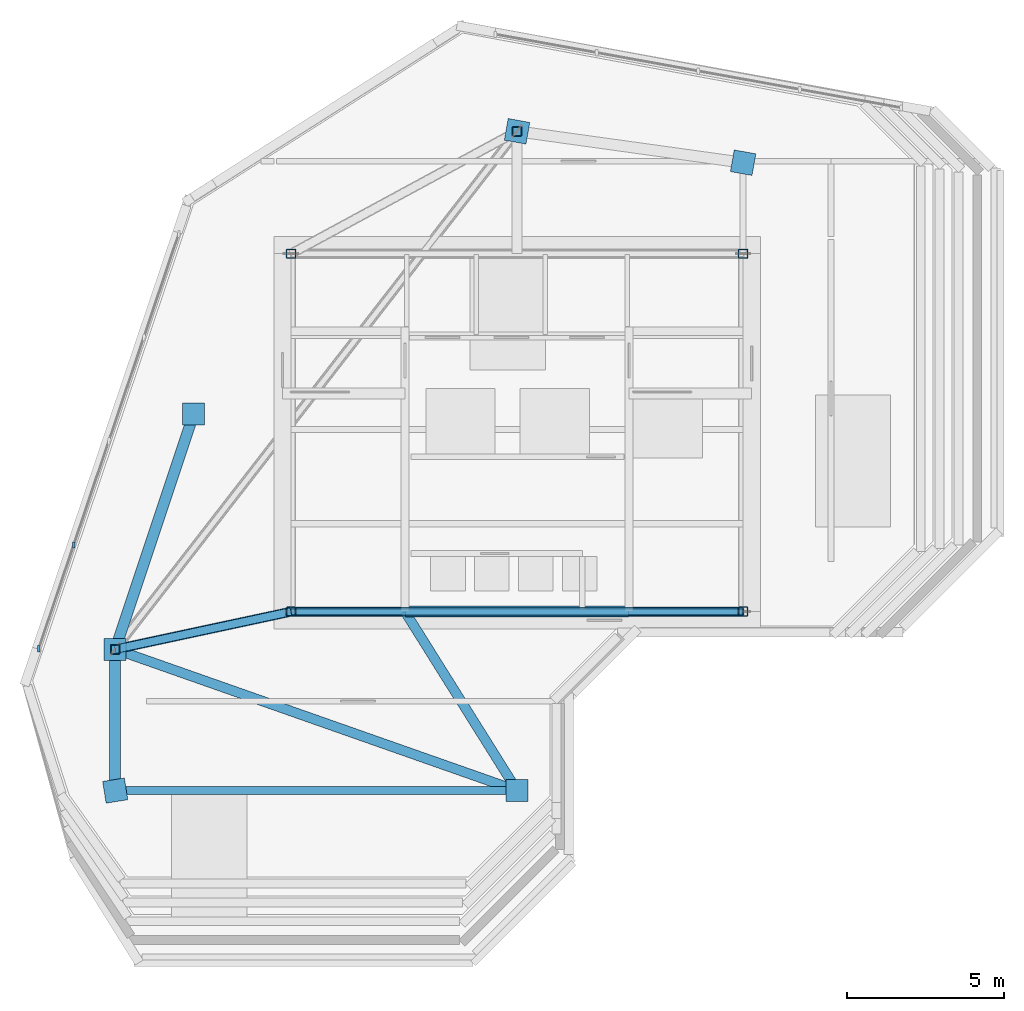
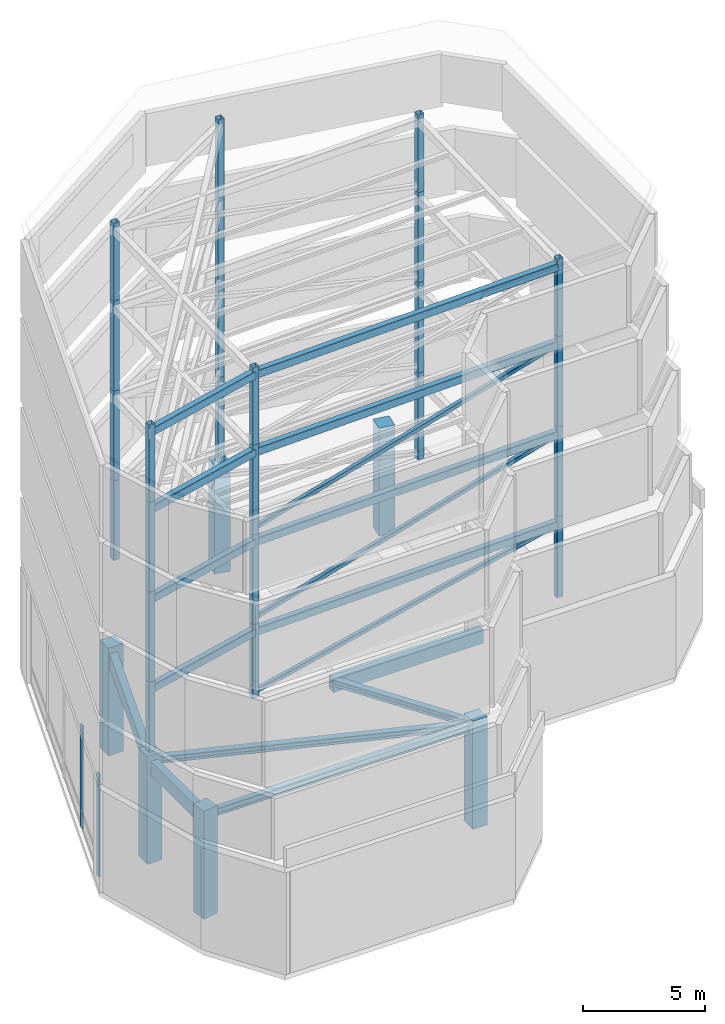
# One storey, part 1 of 9: 30 columns, 14 beams, 5 members, 1 element without a shape of its own.
"""IFC4 building model written with IfcOpenShell, lengths in metres."""

from ifc_helpers import new_model, si_unit, direction, frame, origin, origin_2d, place, context, subcontext, project, spatial, rectangle, hollow_rectangle, i_section, extrude, source, transform, mapped, material, material_profile, profile_set, type_object, element, aggregate, save


model = new_model("IFC4")

# Units and contexts
model_context = context("Model", 3, precision=1e-05, world=origin(), true_north=direction((0.0, 1.0)))
body_context = subcontext(model_context, "Body", "Model", "MODEL_VIEW")
ifc_project = project(units=[si_unit("LENGTHUNIT", "METRE"), si_unit("AREAUNIT", "SQUARE_METRE"), si_unit("VOLUMEUNIT", "CUBIC_METRE"), si_unit("PLANEANGLEUNIT", "RADIAN"), si_unit("MASSUNIT", "GRAM", prefix="KILO")], contexts=[model_context])

# Site, building, storey
site_placement = place(None, origin())
site = spatial("IfcSite", under=ifc_project, at=site_placement, CompositionType="ELEMENT")
building_placement = place(site_placement, origin())
building = spatial("IfcBuilding", under=site, at=building_placement, Name="Calvemar Wedge Station Tower", CompositionType="ELEMENT")
storey_placement = place(building_placement, frame((0.0, 0.0, 309.5)))
storey = spatial("IfcBuildingStorey", under=building, at=storey_placement, Name="L79", CompositionType="ELEMENT", Elevation=309.5)

# Columns
ifc_material_1 = material(Name="Concrete C50", Category="concrete")
ifc_material_profile_1 = material_profile(ifc_material_1, rectangle(XDim=0.699951171875, YDim=0.699951171875, at=origin_2d()), Name="RC700x700")
ifc_profile_set_1 = profile_set([ifc_material_profile_1], Name="Concrete C50")
column_type_1 = type_object("IfcColumnType", Name="COL-C7-700", PredefinedType="COLUMN", material=ifc_profile_set_1)
shared_shape_1 = source(origin(), body_context, "Body", "SweptSolid", [
    extrude(rectangle(XDim=0.699951171875, YDim=0.699951171875, at=origin_2d()), origin(), (0.0, 0.0, 1.0), 5.39990234375),
])
for number, where, z_axis, x_axis, name in (
    (1, (11.0, 33.0, 0.0), (0.0, 0.0, 1.0), (1.0, 0.0, 0.0), "Storey L79 Column T-NW1"),
    (2, (13.5, 40.5, 0.0), (0.0, 0.0, 1.0), (1.0, 0.0, 0.0), "Storey L79 Column T-NW2"),
    (3, (23.800048828125, 49.5, 0.0), (0.0, 0.0, 1.0), (0.984195607969, -0.17708474032, 0.0), "Storey L79 Column T-N1"),
    (4, (31.0, 48.5, 0.0), (0.0, 0.0, 1.0), (0.984195607969, -0.17708474032, 0.0), "Storey L79 Column T-N2"),
    (5, (11.0, 28.5, 0.0), (0.0, 0.0, 1.0), (0.158158067254, -0.987413806751, 0.0), "Storey L79 Column T-SW1"),
    (6, (23.800048828125, 28.5, 0.0), (0.0, 0.0, 1.0), (1.0, 0.0, 0.0), "Storey L79 Column T-SE1"),
):
    element("IfcColumn", number, at=place(storey_placement, frame(where, z_axis=z_axis, x_axis=x_axis)), inside=storey, type_object=column_type_1, Name=name, PredefinedType="COLUMN", context=body_context, shape_type="MappedRepresentation", body=[
        mapped(shared_shape_1, transform((0.0, 0.0, 0.0), scale=1.0)),
    ])
ifc_material_2 = material(Name="Structural steel ASTM A572 Grade 50", Category="steel")
ifc_material_profile_2 = material_profile(ifc_material_2, hollow_rectangle(XDim=0.300048828125, YDim=0.300048828125, WallThickness=0.01611328125, InnerFilletRadius=0.01611328125, OuterFilletRadius=0.031982421875, at=origin_2d()), Name="HSS300x300x16")
ifc_profile_set_2 = profile_set([ifc_material_profile_2], Name="Structural steel ASTM A572 Grade 50")
column_type_2 = type_object("IfcColumnType", Name="COL-CROWN-HSS300", PredefinedType="COLUMN", material=ifc_profile_set_2)
shared_shape_2 = source(origin(), body_context, "Body", "SweptSolid", [
    extrude(hollow_rectangle(XDim=0.300048828125, YDim=0.300048828125, WallThickness=0.01611328125, InnerFilletRadius=0.01611328125, OuterFilletRadius=0.031982421875, at=origin_2d()), origin(), (0.0, 0.0, 1.0), 3.68359375),
])
column_1_placement = place(storey_placement, frame((16.60009765625, 34.199951171875, 5.39990234375), z_axis=(0.0, 0.0, 1.0), x_axis=(1.0, 0.0, 0.0)))
element("IfcColumn", 7, at=column_1_placement, inside=storey, type_object=column_type_2, Name="CROWN FRAME Tier 1 Column 1", PredefinedType="COLUMN", context=body_context, shape_type="MappedRepresentation", body=[
    mapped(shared_shape_2, transform((0.0, 0.0, 0.0), scale=1.0)),
])
shared_shape_3 = source(origin(), body_context, "Body", "SweptSolid", [
    extrude(hollow_rectangle(XDim=0.300048828125, YDim=0.300048828125, WallThickness=0.01611328125, InnerFilletRadius=0.01611328125, OuterFilletRadius=0.031982421875, at=origin_2d()), origin(), (0.0, 0.0, 1.0), 4.044677734375),
])
column_2_placement = place(storey_placement, frame((31.0, 34.199951171875, 5.39990234375), z_axis=(0.0, 0.0, 1.0), x_axis=(1.0, 0.0, 0.0)))
element("IfcColumn", 8, at=column_2_placement, inside=storey, type_object=column_type_2, Name="CROWN FRAME Tier 1 Column 2", PredefinedType="COLUMN", context=body_context, shape_type="MappedRepresentation", body=[
    mapped(shared_shape_3, transform((0.0, 0.0, 0.0), scale=1.0)),
])
shared_shape_4 = source(origin(), body_context, "Body", "SweptSolid", [
    extrude(hollow_rectangle(XDim=0.300048828125, YDim=0.300048828125, WallThickness=0.01611328125, InnerFilletRadius=0.01611328125, OuterFilletRadius=0.031982421875, at=origin_2d()), origin(), (0.0, 0.0, 1.0), 4.330810546875),
])
column_3_placement = place(storey_placement, frame((31.0, 45.60009765625, 5.39990234375), z_axis=(0.0, 0.0, 1.0), x_axis=(1.0, 0.0, 0.0)))
element("IfcColumn", 9, at=column_3_placement, inside=storey, type_object=column_type_2, Name="CROWN FRAME Tier 1 Column 3", PredefinedType="COLUMN", context=body_context, shape_type="MappedRepresentation", body=[
    mapped(shared_shape_4, transform((0.0, 0.0, 0.0), scale=1.0)),
])
shared_shape_5 = source(origin(), body_context, "Body", "SweptSolid", [
    extrude(hollow_rectangle(XDim=0.300048828125, YDim=0.300048828125, WallThickness=0.01611328125, InnerFilletRadius=0.01611328125, OuterFilletRadius=0.031982421875, at=origin_2d()), origin(), (0.0, 0.0, 1.0), 3.969482421875),
])
column_4_placement = place(storey_placement, frame((16.60009765625, 45.60009765625, 5.39990234375), z_axis=(0.0, 0.0, 1.0), x_axis=(1.0, 0.0, 0.0)))
element("IfcColumn", 10, at=column_4_placement, inside=storey, type_object=column_type_2, Name="CROWN FRAME Tier 1 Column 4", PredefinedType="COLUMN", context=body_context, shape_type="MappedRepresentation", body=[
    mapped(shared_shape_5, transform((0.0, 0.0, 0.0), scale=1.0)),
])
shared_shape_6 = source(origin(), body_context, "Body", "SweptSolid", [
    extrude(hollow_rectangle(XDim=0.300048828125, YDim=0.300048828125, WallThickness=0.01611328125, InnerFilletRadius=0.01611328125, OuterFilletRadius=0.031982421875, at=origin_2d()), origin(), (0.0, 0.0, 1.0), 4.247802734375),
])
column_5_placement = place(storey_placement, frame((23.800048828125, 49.5, 5.39990234375), z_axis=(0.0, 0.0, 1.0), x_axis=(1.0, 0.0, 0.0)))
element("IfcColumn", 11, at=column_5_placement, inside=storey, type_object=column_type_2, Name="CROWN FRAME Tier 1 Column 5", PredefinedType="COLUMN", context=body_context, shape_type="MappedRepresentation", body=[
    mapped(shared_shape_6, transform((0.0, 0.0, 0.0), scale=1.0)),
])
shared_shape_7 = source(origin(), body_context, "Body", "SweptSolid", [
    extrude(hollow_rectangle(XDim=0.300048828125, YDim=0.300048828125, WallThickness=0.01611328125, InnerFilletRadius=0.01611328125, OuterFilletRadius=0.031982421875, at=origin_2d()), origin(), (0.0, 0.0, 1.0), 3.51318359375),
])
column_6_placement = place(storey_placement, frame((11.0, 33.0, 5.39990234375), z_axis=(0.0, 0.0, 1.0), x_axis=(1.0, 0.0, 0.0)))
element("IfcColumn", 12, at=column_6_placement, inside=storey, type_object=column_type_2, Name="CROWN FRAME Tier 1 Column 6", PredefinedType="COLUMN", context=body_context, shape_type="MappedRepresentation", body=[
    mapped(shared_shape_7, transform((0.0, 0.0, 0.0), scale=1.0)),
])
shared_shape_8 = source(origin(), body_context, "Body", "SweptSolid", [
    extrude(hollow_rectangle(XDim=0.300048828125, YDim=0.300048828125, WallThickness=0.01611328125, InnerFilletRadius=0.01611328125, OuterFilletRadius=0.031982421875, at=origin_2d()), origin(), (0.0, 0.0, 1.0), 4.485107421875),
])
column_7_placement = place(storey_placement, frame((16.60009765625, 34.199951171875, 9.093505859375), z_axis=(0.0, 0.0, 1.0), x_axis=(1.0, 0.0, 0.0)))
element("IfcColumn", 13, at=column_7_placement, inside=storey, type_object=column_type_2, Name="CROWN FRAME Tier 2 Column 1", PredefinedType="COLUMN", context=body_context, shape_type="MappedRepresentation", body=[
    mapped(shared_shape_8, transform((0.0, 0.0, 0.0), scale=1.0)),
])
shared_shape_9 = source(origin(), body_context, "Body", "SweptSolid", [
    extrude(hollow_rectangle(XDim=0.300048828125, YDim=0.300048828125, WallThickness=0.01611328125, InnerFilletRadius=0.01611328125, OuterFilletRadius=0.031982421875, at=origin_2d()), origin(), (0.0, 0.0, 1.0), 4.4921875),
])
for number, where, z_axis, x_axis, name in (
    (14, (31.0, 34.199951171875, 9.45458984375), (0.0, 0.0, 1.0), (1.0, 0.0, 0.0), "CROWN FRAME Tier 2 Column 2"),
    (15, (31.0, 34.199951171875, 13.956787109375), (0.0, 0.0, 1.0), (1.0, 0.0, 0.0), "CROWN FRAME Tier 3 Column 2"),
):
    element("IfcColumn", number, at=place(storey_placement, frame(where, z_axis=z_axis, x_axis=x_axis)), inside=storey, type_object=column_type_2, Name=name, PredefinedType="COLUMN", context=body_context, shape_type="MappedRepresentation", body=[
        mapped(shared_shape_9, transform((0.0, 0.0, 0.0), scale=1.0)),
    ])
shared_shape_10 = source(origin(), body_context, "Body", "SweptSolid", [
    extrude(hollow_rectangle(XDim=0.300048828125, YDim=0.300048828125, WallThickness=0.01611328125, InnerFilletRadius=0.01611328125, OuterFilletRadius=0.031982421875, at=origin_2d()), origin(), (0.0, 0.0, 1.0), 4.497802734375),
])
column_8_placement = place(storey_placement, frame((31.0, 45.60009765625, 9.740478515625), z_axis=(0.0, 0.0, 1.0), x_axis=(1.0, 0.0, 0.0)))
element("IfcColumn", 16, at=column_8_placement, inside=storey, type_object=column_type_2, Name="CROWN FRAME Tier 2 Column 3", PredefinedType="COLUMN", context=body_context, shape_type="MappedRepresentation", body=[
    mapped(shared_shape_10, transform((0.0, 0.0, 0.0), scale=1.0)),
])
shared_shape_11 = source(origin(), body_context, "Body", "SweptSolid", [
    extrude(hollow_rectangle(XDim=0.300048828125, YDim=0.300048828125, WallThickness=0.01611328125, InnerFilletRadius=0.01611328125, OuterFilletRadius=0.031982421875, at=origin_2d()), origin(), (0.0, 0.0, 1.0), 4.49072265625),
])
column_9_placement = place(storey_placement, frame((16.60009765625, 45.60009765625, 9.37939453125), z_axis=(0.0, 0.0, 1.0), x_axis=(1.0, 0.0, 0.0)))
element("IfcColumn", 17, at=column_9_placement, inside=storey, type_object=column_type_2, Name="CROWN FRAME Tier 2 Column 4", PredefinedType="COLUMN", context=body_context, shape_type="MappedRepresentation", body=[
    mapped(shared_shape_11, transform((0.0, 0.0, 0.0), scale=1.0)),
])
shared_shape_12 = source(origin(), body_context, "Body", "SweptSolid", [
    extrude(hollow_rectangle(XDim=0.300048828125, YDim=0.300048828125, WallThickness=0.01611328125, InnerFilletRadius=0.01611328125, OuterFilletRadius=0.031982421875, at=origin_2d()), origin(), (0.0, 0.0, 1.0), 4.496337890625),
])
for number, where, z_axis, x_axis, name in (
    (18, (23.800048828125, 49.5, 9.65771484375), (0.0, 0.0, 1.0), (1.0, 0.0, 0.0), "CROWN FRAME Tier 2 Column 5"),
    (19, (23.800048828125, 49.5, 14.1640625), (0.0, 0.0, 1.0), (1.0, 0.0, 0.0), "CROWN FRAME Tier 3 Column 5"),
):
    element("IfcColumn", number, at=place(storey_placement, frame(where, z_axis=z_axis, x_axis=x_axis)), inside=storey, type_object=column_type_2, Name=name, PredefinedType="COLUMN", context=body_context, shape_type="MappedRepresentation", body=[
        mapped(shared_shape_12, transform((0.0, 0.0, 0.0), scale=1.0)),
    ])
shared_shape_13 = source(origin(), body_context, "Body", "SweptSolid", [
    extrude(hollow_rectangle(XDim=0.300048828125, YDim=0.300048828125, WallThickness=0.01611328125, InnerFilletRadius=0.01611328125, OuterFilletRadius=0.031982421875, at=origin_2d()), origin(), (0.0, 0.0, 1.0), 4.4814453125),
])
column_10_placement = place(storey_placement, frame((11.0, 33.0, 8.923095703125), z_axis=(0.0, 0.0, 1.0), x_axis=(1.0, 0.0, 0.0)))
element("IfcColumn", 20, at=column_10_placement, inside=storey, type_object=column_type_2, Name="CROWN FRAME Tier 2 Column 6", PredefinedType="COLUMN", context=body_context, shape_type="MappedRepresentation", body=[
    mapped(shared_shape_13, transform((0.0, 0.0, 0.0), scale=1.0)),
])
shared_shape_14 = source(origin(), body_context, "Body", "SweptSolid", [
    extrude(hollow_rectangle(XDim=0.300048828125, YDim=0.300048828125, WallThickness=0.01611328125, InnerFilletRadius=0.01611328125, OuterFilletRadius=0.031982421875, at=origin_2d()), origin(), (0.0, 0.0, 1.0), 4.48486328125),
])
column_11_placement = place(storey_placement, frame((16.60009765625, 34.199951171875, 13.58837890625), z_axis=(0.0, 0.0, 1.0), x_axis=(1.0, 0.0, 0.0)))
element("IfcColumn", 21, at=column_11_placement, inside=storey, type_object=column_type_2, Name="CROWN FRAME Tier 3 Column 1", PredefinedType="COLUMN", context=body_context, shape_type="MappedRepresentation", body=[
    mapped(shared_shape_14, transform((0.0, 0.0, 0.0), scale=1.0)),
])
shared_shape_15 = source(origin(), body_context, "Body", "SweptSolid", [
    extrude(hollow_rectangle(XDim=0.300048828125, YDim=0.300048828125, WallThickness=0.01611328125, InnerFilletRadius=0.01611328125, OuterFilletRadius=0.031982421875, at=origin_2d()), origin(), (0.0, 0.0, 1.0), 4.498046875),
])
column_12_placement = place(storey_placement, frame((31.0, 45.60009765625, 14.248291015625), z_axis=(0.0, 0.0, 1.0), x_axis=(1.0, 0.0, 0.0)))
element("IfcColumn", 22, at=column_12_placement, inside=storey, type_object=column_type_2, Name="CROWN FRAME Tier 3 Column 3", PredefinedType="COLUMN", context=body_context, shape_type="MappedRepresentation", body=[
    mapped(shared_shape_15, transform((0.0, 0.0, 0.0), scale=1.0)),
])
shared_shape_16 = source(origin(), body_context, "Body", "SweptSolid", [
    extrude(hollow_rectangle(XDim=0.300048828125, YDim=0.300048828125, WallThickness=0.01611328125, InnerFilletRadius=0.01611328125, OuterFilletRadius=0.031982421875, at=origin_2d()), origin(), (0.0, 0.0, 1.0), 4.490478515625),
])
column_13_placement = place(storey_placement, frame((16.60009765625, 45.60009765625, 13.880126953125), z_axis=(0.0, 0.0, 1.0), x_axis=(1.0, 0.0, 0.0)))
element("IfcColumn", 23, at=column_13_placement, inside=storey, type_object=column_type_2, Name="CROWN FRAME Tier 3 Column 4", PredefinedType="COLUMN", context=body_context, shape_type="MappedRepresentation", body=[
    mapped(shared_shape_16, transform((0.0, 0.0, 0.0), scale=1.0)),
])
shared_shape_17 = source(origin(), body_context, "Body", "SweptSolid", [
    extrude(hollow_rectangle(XDim=0.300048828125, YDim=0.300048828125, WallThickness=0.01611328125, InnerFilletRadius=0.01611328125, OuterFilletRadius=0.031982421875, at=origin_2d()), origin(), (0.0, 0.0, 1.0), 4.481201171875),
])
column_14_placement = place(storey_placement, frame((11.0, 33.0, 13.41455078125), z_axis=(0.0, 0.0, 1.0), x_axis=(1.0, 0.0, 0.0)))
element("IfcColumn", 24, at=column_14_placement, inside=storey, type_object=column_type_2, Name="CROWN FRAME Tier 3 Column 6", PredefinedType="COLUMN", context=body_context, shape_type="MappedRepresentation", body=[
    mapped(shared_shape_17, transform((0.0, 0.0, 0.0), scale=1.0)),
])
shared_shape_18 = source(origin(), body_context, "Body", "SweptSolid", [
    extrude(hollow_rectangle(XDim=0.300048828125, YDim=0.300048828125, WallThickness=0.01611328125, InnerFilletRadius=0.01611328125, OuterFilletRadius=0.031982421875, at=origin_2d()), origin(), (0.0, 0.0, 1.0), 3.864501953125),
])
column_15_placement = place(storey_placement, frame((16.60009765625, 34.199951171875, 18.083251953125), z_axis=(0.0, 0.0, 1.0), x_axis=(1.0, 0.0, 0.0)))
element("IfcColumn", 25, at=column_15_placement, inside=storey, type_object=column_type_2, Name="CROWN FRAME Tier 4 Column 1", PredefinedType="COLUMN", context=body_context, shape_type="MappedRepresentation", body=[
    mapped(shared_shape_18, transform((0.0, 0.0, 0.0), scale=1.0)),
])
shared_shape_19 = source(origin(), body_context, "Body", "SweptSolid", [
    extrude(hollow_rectangle(XDim=0.300048828125, YDim=0.300048828125, WallThickness=0.01611328125, InnerFilletRadius=0.01611328125, OuterFilletRadius=0.031982421875, at=origin_2d()), origin(), (0.0, 0.0, 1.0), 3.872314453125),
])
column_16_placement = place(storey_placement, frame((31.0, 34.199951171875, 18.458984375), z_axis=(0.0, 0.0, 1.0), x_axis=(1.0, 0.0, 0.0)))
element("IfcColumn", 26, at=column_16_placement, inside=storey, type_object=column_type_2, Name="CROWN FRAME Tier 4 Column 2", PredefinedType="COLUMN", context=body_context, shape_type="MappedRepresentation", body=[
    mapped(shared_shape_19, transform((0.0, 0.0, 0.0), scale=1.0)),
])
shared_shape_20 = source(origin(), body_context, "Body", "SweptSolid", [
    extrude(hollow_rectangle(XDim=0.300048828125, YDim=0.300048828125, WallThickness=0.01611328125, InnerFilletRadius=0.01611328125, OuterFilletRadius=0.031982421875, at=origin_2d()), origin(), (0.0, 0.0, 1.0), 3.87841796875),
])
column_17_placement = place(storey_placement, frame((31.0, 45.60009765625, 18.75634765625), z_axis=(0.0, 0.0, 1.0), x_axis=(1.0, 0.0, 0.0)))
element("IfcColumn", 27, at=column_17_placement, inside=storey, type_object=column_type_2, Name="CROWN FRAME Tier 4 Column 3", PredefinedType="COLUMN", context=body_context, shape_type="MappedRepresentation", body=[
    mapped(shared_shape_20, transform((0.0, 0.0, 0.0), scale=1.0)),
])
shared_shape_21 = source(origin(), body_context, "Body", "SweptSolid", [
    extrude(hollow_rectangle(XDim=0.300048828125, YDim=0.300048828125, WallThickness=0.01611328125, InnerFilletRadius=0.01611328125, OuterFilletRadius=0.031982421875, at=origin_2d()), origin(), (0.0, 0.0, 1.0), 3.87060546875),
])
column_18_placement = place(storey_placement, frame((16.60009765625, 45.60009765625, 18.380615234375), z_axis=(0.0, 0.0, 1.0), x_axis=(1.0, 0.0, 0.0)))
element("IfcColumn", 28, at=column_18_placement, inside=storey, type_object=column_type_2, Name="CROWN FRAME Tier 4 Column 4", PredefinedType="COLUMN", context=body_context, shape_type="MappedRepresentation", body=[
    mapped(shared_shape_21, transform((0.0, 0.0, 0.0), scale=1.0)),
])
shared_shape_22 = source(origin(), body_context, "Body", "SweptSolid", [
    extrude(hollow_rectangle(XDim=0.300048828125, YDim=0.300048828125, WallThickness=0.01611328125, InnerFilletRadius=0.01611328125, OuterFilletRadius=0.031982421875, at=origin_2d()), origin(), (0.0, 0.0, 1.0), 3.87646484375),
])
column_19_placement = place(storey_placement, frame((23.800048828125, 49.5, 18.67041015625), z_axis=(0.0, 0.0, 1.0), x_axis=(1.0, 0.0, 0.0)))
element("IfcColumn", 29, at=column_19_placement, inside=storey, type_object=column_type_2, Name="CROWN FRAME Tier 4 Column 5", PredefinedType="COLUMN", context=body_context, shape_type="MappedRepresentation", body=[
    mapped(shared_shape_22, transform((0.0, 0.0, 0.0), scale=1.0)),
])
shared_shape_23 = source(origin(), body_context, "Body", "SweptSolid", [
    extrude(hollow_rectangle(XDim=0.300048828125, YDim=0.300048828125, WallThickness=0.01611328125, InnerFilletRadius=0.01611328125, OuterFilletRadius=0.031982421875, at=origin_2d()), origin(), (0.0, 0.0, 1.0), 3.86083984375),
])
column_20_placement = place(storey_placement, frame((11.0, 33.0, 17.90576171875), z_axis=(0.0, 0.0, 1.0), x_axis=(1.0, 0.0, 0.0)))
element("IfcColumn", 30, at=column_20_placement, inside=storey, type_object=column_type_2, Name="CROWN FRAME Tier 4 Column 6", PredefinedType="COLUMN", context=body_context, shape_type="MappedRepresentation", body=[
    mapped(shared_shape_23, transform((0.0, 0.0, 0.0), scale=1.0)),
])

# Beams
ifc_material_3 = material(Name="Concrete C70", Category="concrete")
ifc_material_profile_3 = material_profile(ifc_material_3, rectangle(XDim=0.35009765625, YDim=0.699951171875, at=origin_2d()), Name="RC350x700")
ifc_profile_set_3 = profile_set([ifc_material_profile_3], Name="Concrete C70")
beam_type_1 = type_object("IfcBeamType", Name="BM-LN1-700", PredefinedType="LINTEL", material=ifc_profile_set_3)
shared_shape_24 = source(origin(), body_context, "Body", "SweptSolid", [
    extrude(rectangle(XDim=0.35009765625, YDim=0.699951171875, at=origin_2d()), origin(), (0.0, 0.0, 1.0), 7.10009765625),
])
beam_1_placement = place(storey_placement, frame((20.25, 34.199951171875, 4.75), z_axis=(1.0, 0.0, 0.0), x_axis=(0.0, 1.0, 0.0)))
element("IfcBeam", 31, at=beam_1_placement, inside=storey, type_object=beam_type_1, Name="Storey L79 Core Coupling Lintel South", PredefinedType="LINTEL", context=body_context, shape_type="MappedRepresentation", body=[
    mapped(shared_shape_24, transform((0.0, 0.0, 0.0), scale=1.0)),
])
ifc_material_profile_4 = material_profile(ifc_material_2, i_section(OverallWidth=0.30908203125, OverallDepth=0.322998046875, WebThickness=0.013916015625, FlangeThickness=0.02294921875, FilletRadius=0.014892578125, at=origin_2d()), Name="W310x143")
ifc_profile_set_4 = profile_set([ifc_material_profile_4], Name="Structural steel ASTM A572 Grade 50")
beam_type_2 = type_object("IfcBeamType", Name="BM-J5-W310H", PredefinedType="JOIST", material=ifc_profile_set_4)
shared_shape_25 = source(origin(), body_context, "Body", "SweptSolid", [
    extrude(i_section(OverallWidth=0.30908203125, OverallDepth=0.322998046875, WebThickness=0.013916015625, FlangeThickness=0.02294921875, FilletRadius=0.014892578125, at=origin_2d()), origin(), (0.0, 0.0, 1.0), 13.568115234375),
])
beam_2_placement = place(storey_placement, frame((11.0, 33.0, 4.9384765625), z_axis=(0.943398221169, -0.331662171939, 0.0), x_axis=(0.331662171939, 0.943398221169, 0.0)))
element("IfcBeam", 32, at=beam_2_placement, inside=storey, type_object=beam_type_2, Name="Storey L79 Floor Beam T-NW1-T-SE1", PredefinedType="JOIST", context=body_context, shape_type="MappedRepresentation", body=[
    mapped(shared_shape_25, transform((0.0, 0.0, 0.0), scale=1.0)),
])
shared_shape_26 = source(origin(), body_context, "Body", "SweptSolid", [
    extrude(i_section(OverallWidth=0.30908203125, OverallDepth=0.322998046875, WebThickness=0.013916015625, FlangeThickness=0.02294921875, FilletRadius=0.014892578125, at=origin_2d()), origin(), (0.0, 0.0, 1.0), 6.7255859375),
])
beam_3_placement = place(storey_placement, frame((20.22998046875, 34.199951171875, 4.9384765625), z_axis=(0.530811158438, -0.847490126242, 0.0), x_axis=(0.847490126242, 0.530811158438, 0.0)))
element("IfcBeam", 33, at=beam_3_placement, inside=storey, type_object=beam_type_2, Name="Storey L79 Core-to-Column Joist CJ-S2", PredefinedType="JOIST", context=body_context, shape_type="MappedRepresentation", body=[
    mapped(shared_shape_26, transform((0.0, 0.0, 0.0), scale=1.0)),
])
ifc_material_profile_5 = material_profile(ifc_material_1, rectangle(XDim=0.35009765625, YDim=0.699951171875, at=origin_2d()), Name="RC350x700")
ifc_profile_set_5 = profile_set([ifc_material_profile_5], Name="Concrete C50")
beam_type_3 = type_object("IfcBeamType", Name="BM-SP2-700", PredefinedType="SPANDREL", material=ifc_profile_set_5)
shared_shape_27 = source(origin(), body_context, "Body", "SweptSolid", [
    extrude(rectangle(XDim=0.35009765625, YDim=0.699951171875, at=origin_2d()), origin(), (0.0, 0.0, 1.0), 7.90576171875),
])
beam_4_placement = place(storey_placement, frame((11.0, 33.0, 4.75), z_axis=(0.316227766017, 0.948683298051, 0.0), x_axis=(-0.948683298051, 0.316227766017, 0.0)))
element("IfcBeam", 34, at=beam_4_placement, inside=storey, type_object=beam_type_3, Name="Storey L79 Spandrel T-NW1-T-NW2", PredefinedType="SPANDREL", context=body_context, shape_type="MappedRepresentation", body=[
    mapped(shared_shape_27, transform((0.0, 0.0, 0.0), scale=1.0)),
])
shared_shape_28 = source(origin(), body_context, "Body", "SweptSolid", [
    extrude(rectangle(XDim=0.35009765625, YDim=0.699951171875, at=origin_2d()), origin(), (0.0, 0.0, 1.0), 4.5),
])
beam_5_placement = place(storey_placement, frame((11.0, 33.0, 4.75), z_axis=(0.0, -1.0, 0.0), x_axis=(1.0, 0.0, 0.0)))
element("IfcBeam", 35, at=beam_5_placement, inside=storey, type_object=beam_type_3, Name="Storey L79 Spandrel T-NW1-T-SW1", PredefinedType="SPANDREL", context=body_context, shape_type="MappedRepresentation", body=[
    mapped(shared_shape_28, transform((0.0, 0.0, 0.0), scale=1.0)),
])
ifc_material_profile_6 = material_profile(ifc_material_2, i_section(OverallWidth=0.257080078125, OverallDepth=0.363037109375, WebThickness=0.012939453125, FlangeThickness=0.021728515625, FilletRadius=0.014892578125, at=origin_2d()), Name="W360x122")
ifc_profile_set_6 = profile_set([ifc_material_profile_6], Name="Structural steel ASTM A572 Grade 50")
beam_type_4 = type_object("IfcBeamType", Name="BM-J4-W360", PredefinedType="JOIST", material=ifc_profile_set_6)
shared_shape_29 = source(origin(), body_context, "Body", "SweptSolid", [
    extrude(i_section(OverallWidth=0.257080078125, OverallDepth=0.363037109375, WebThickness=0.012939453125, FlangeThickness=0.021728515625, FilletRadius=0.014892578125, at=origin_2d()), origin(), (0.0, 0.0, 1.0), 12.800048828125),
])
beam_6_placement = place(storey_placement, frame((11.0, 28.5, 4.91845703125), z_axis=(1.0, 0.0, 0.0), x_axis=(0.0, 1.0, 0.0)))
element("IfcBeam", 36, at=beam_6_placement, inside=storey, type_object=beam_type_4, Name="Storey L79 Floor Beam T-SW1-T-SE1", PredefinedType="JOIST", context=body_context, shape_type="MappedRepresentation", body=[
    mapped(shared_shape_29, transform((0.0, 0.0, 0.0), scale=1.0)),
])
ifc_material_profile_7 = material_profile(ifc_material_2, hollow_rectangle(XDim=0.300048828125, YDim=0.39990234375, WallThickness=0.02001953125, InnerFilletRadius=0.02001953125, OuterFilletRadius=0.0400390625, at=origin_2d()), Name="HSS400x300x20")
ifc_profile_set_7 = profile_set([ifc_material_profile_7], Name="Structural steel ASTM A572 Grade 50")
beam_type_5 = type_object("IfcBeamType", Name="BM-CROWN-HSS400", PredefinedType="BEAM", material=ifc_profile_set_7)
shared_shape_30 = source(origin(), body_context, "Body", "SweptSolid", [
    extrude(hollow_rectangle(XDim=0.300048828125, YDim=0.39990234375, WallThickness=0.02001953125, InnerFilletRadius=0.02001953125, OuterFilletRadius=0.0400390625, at=origin_2d()), origin(), (0.0, 0.0, 1.0), 14.404541015625),
])
for number, where, z_axis, x_axis, name in (
    (37, (16.60009765625, 34.199951171875, 8.673583984375), (0.999685759168, 0.0, 0.025067567017), (0.0, 1.0, 0.0), "CROWN FRAME Tier 1 Ring Cap Beam 1"),
    (38, (16.60009765625, 34.199951171875, 13.16845703125), (0.999672888088, 0.0, 0.025575707642), (0.0, 1.0, 0.0), "CROWN FRAME Tier 2 Ring Cap Beam 1"),
):
    element("IfcBeam", number, at=place(storey_placement, frame(where, z_axis=z_axis, x_axis=x_axis)), inside=storey, type_object=beam_type_5, Name=name, PredefinedType="BEAM", context=body_context, shape_type="MappedRepresentation", body=[
        mapped(shared_shape_30, transform((0.0, 0.0, 0.0), scale=1.0)),
    ])

# Member
ifc_material_profile_8 = material_profile(ifc_material_2, hollow_rectangle(XDim=0.199951171875, YDim=0.199951171875, WallThickness=0.012451171875, InnerFilletRadius=0.012451171875, OuterFilletRadius=0.02490234375, at=origin_2d()), Name="HSS200x200x12.5")
ifc_profile_set_8 = profile_set([ifc_material_profile_8], Name="Structural steel ASTM A572 Grade 50")
member_type_1 = type_object("IfcMemberType", Name="MEM-CROWN-BR", PredefinedType="BRACE", material=ifc_profile_set_8)
shared_shape_31 = source(origin(), body_context, "Body", "SweptSolid", [
    extrude(hollow_rectangle(XDim=0.199951171875, YDim=0.199951171875, WallThickness=0.012451171875, InnerFilletRadius=0.012451171875, OuterFilletRadius=0.02490234375, at=origin_2d()), origin(), (0.0, 0.0, 1.0), 14.792236328125),
])
member_1_placement = place(storey_placement, frame((16.60009765625, 34.199951171875, 5.64990234375), z_axis=(0.973469091922, 0.0, 0.228818546173), x_axis=(0.0, 1.0, 0.0)))
element("IfcMember", 39, at=member_1_placement, inside=storey, type_object=member_type_1, Name="CROWN FRAME Tier 1 Wind Brace 1", PredefinedType="BRACE", context=body_context, shape_type="MappedRepresentation", body=[
    mapped(shared_shape_31, transform((0.0, 0.0, 0.0), scale=1.0)),
])

# Beams
shared_shape_32 = source(origin(), body_context, "Body", "SweptSolid", [
    extrude(hollow_rectangle(XDim=0.300048828125, YDim=0.39990234375, WallThickness=0.02001953125, InnerFilletRadius=0.02001953125, OuterFilletRadius=0.0400390625, at=origin_2d()), origin(), (0.0, 0.0, 1.0), 5.729736328125),
])
for number, where, z_axis, x_axis, name in (
    (40, (11.0, 33.0, 8.503173828125), (0.977372357499, 0.209424759661, 0.029741298524), (-0.209517443948, 0.977804909315, 0.0), "CROWN FRAME Tier 1 Ring Cap Beam 6"),
    (41, (11.0, 33.0, 12.99462890625), (0.977354843935, 0.209421006973, 0.030337285242), (-0.209517443948, 0.977804909315, 0.0), "CROWN FRAME Tier 2 Ring Cap Beam 6"),
):
    element("IfcBeam", number, at=place(storey_placement, frame(where, z_axis=z_axis, x_axis=x_axis)), inside=storey, type_object=beam_type_5, Name=name, PredefinedType="BEAM", context=body_context, shape_type="MappedRepresentation", body=[
        mapped(shared_shape_32, transform((0.0, 0.0, 0.0), scale=1.0)),
    ])

# Member
shared_shape_33 = source(origin(), body_context, "Body", "SweptSolid", [
    extrude(hollow_rectangle(XDim=0.199951171875, YDim=0.199951171875, WallThickness=0.012451171875, InnerFilletRadius=0.012451171875, OuterFilletRadius=0.02490234375, at=origin_2d()), origin(), (0.0, 0.0, 1.0), 14.998046875),
])
member_2_placement = place(storey_placement, frame((16.60009765625, 34.199951171875, 9.343505859375), z_axis=(0.960118419023, 0.0, 0.279593672055), x_axis=(0.0, 1.0, 0.0)))
element("IfcMember", 42, at=member_2_placement, inside=storey, type_object=member_type_1, Name="CROWN FRAME Tier 2 Wind Brace 1", PredefinedType="BRACE", context=body_context, shape_type="MappedRepresentation", body=[
    mapped(shared_shape_33, transform((0.0, 0.0, 0.0), scale=1.0)),
])

# Beam
shared_shape_34 = source(origin(), body_context, "Body", "SweptSolid", [
    extrude(hollow_rectangle(XDim=0.300048828125, YDim=0.39990234375, WallThickness=0.02001953125, InnerFilletRadius=0.02001953125, OuterFilletRadius=0.0400390625, at=origin_2d()), origin(), (0.0, 0.0, 1.0), 14.40478515625),
])
beam_7_placement = place(storey_placement, frame((16.60009765625, 34.199951171875, 17.663330078125), z_axis=(0.999659759065, 0.0, 0.026083828443), x_axis=(0.0, 1.0, 0.0)))
element("IfcBeam", 43, at=beam_7_placement, inside=storey, type_object=beam_type_5, Name="CROWN FRAME Tier 3 Ring Cap Beam 1", PredefinedType="BEAM", context=body_context, shape_type="MappedRepresentation", body=[
    mapped(shared_shape_34, transform((0.0, 0.0, 0.0), scale=1.0)),
])

# Member
shared_shape_35 = source(origin(), body_context, "Body", "SweptSolid", [
    extrude(hollow_rectangle(XDim=0.199951171875, YDim=0.199951171875, WallThickness=0.012451171875, InnerFilletRadius=0.012451171875, OuterFilletRadius=0.02490234375, at=origin_2d()), origin(), (0.0, 0.0, 1.0), 15.0),
])
member_3_placement = place(storey_placement, frame((16.60009765625, 34.199951171875, 13.83837890625), z_axis=(0.95998723867, 0.0, 0.280043749424), x_axis=(0.0, 1.0, 0.0)))
element("IfcMember", 44, at=member_3_placement, inside=storey, type_object=member_type_1, Name="CROWN FRAME Tier 3 Wind Brace 1", PredefinedType="BRACE", context=body_context, shape_type="MappedRepresentation", body=[
    mapped(shared_shape_35, transform((0.0, 0.0, 0.0), scale=1.0)),
])

# Beams
shared_shape_36 = source(origin(), body_context, "Body", "SweptSolid", [
    extrude(hollow_rectangle(XDim=0.300048828125, YDim=0.39990234375, WallThickness=0.02001953125, InnerFilletRadius=0.02001953125, OuterFilletRadius=0.0400390625, at=origin_2d()), origin(), (0.0, 0.0, 1.0), 5.72998046875),
])
for number, where, z_axis, x_axis, name in (
    (45, (11.0, 33.0, 17.48583984375), (0.977335694542, 0.20941690377, 0.030975806519), (-0.209517443948, 0.977804909315, 0.0), "CROWN FRAME Tier 3 Ring Cap Beam 6"),
    (46, (11.0, 33.0, 21.356689453125), (0.977316147087, 0.209412715273, 0.031614289874), (-0.209517443948, 0.977804909315, 0.0), "CROWN FRAME Tier 4 Ring Cap Beam 6"),
):
    element("IfcBeam", number, at=place(storey_placement, frame(where, z_axis=z_axis, x_axis=x_axis)), inside=storey, type_object=beam_type_5, Name=name, PredefinedType="BEAM", context=body_context, shape_type="MappedRepresentation", body=[
        mapped(shared_shape_36, transform((0.0, 0.0, 0.0), scale=1.0)),
    ])
shared_shape_37 = source(origin(), body_context, "Body", "SweptSolid", [
    extrude(hollow_rectangle(XDim=0.300048828125, YDim=0.39990234375, WallThickness=0.02001953125, InnerFilletRadius=0.02001953125, OuterFilletRadius=0.0400390625, at=origin_2d()), origin(), (0.0, 0.0, 1.0), 14.405029296875),
])
beam_8_placement = place(storey_placement, frame((16.60009765625, 34.199951171875, 21.537841796875), z_axis=(0.999645921456, 0.0, 0.02660886536), x_axis=(0.0, 1.0, 0.0)))
element("IfcBeam", 47, at=beam_8_placement, inside=storey, type_object=beam_type_5, Name="CROWN FRAME Tier 4 Ring Cap Beam 1", PredefinedType="BEAM", context=body_context, shape_type="MappedRepresentation", body=[
    mapped(shared_shape_37, transform((0.0, 0.0, 0.0), scale=1.0)),
])

# Curtain wall, members
ifc_material_4 = material(Name="Anodised aluminium 6063-T6", Category="aluminium")
curtain_wall_type = type_object("IfcCurtainWallType", Name="CW4", PredefinedType="NOTDEFINED", material=ifc_material_4)
curtain_wall_placement = place(storey_placement, origin())
curtain_wall = element("IfcCurtainWall", 48, at=curtain_wall_placement, inside=storey, type_object=curtain_wall_type, Name="Storey L79 CW4 Recessed Unitised Curtain Wall 12", PredefinedType="NOTDEFINED")
ifc_material_profile_9 = material_profile(ifc_material_4, rectangle(XDim=0.070068359375, YDim=0.199951171875, at=origin_2d()), Name="AL-MUL-70x200")
ifc_profile_set_9 = profile_set([ifc_material_profile_9], Name="Anodised aluminium 6063-T6")
member_type_2 = type_object("IfcMemberType", Name="CW4-MUL", PredefinedType="MULLION", material=ifc_profile_set_9)
shared_shape_38 = source(origin(), body_context, "Body", "SweptSolid", [
    extrude(rectangle(XDim=0.070068359375, YDim=0.199951171875, at=origin_2d()), origin(), (0.0, 0.0, 1.0), 5.150146484375),
])
member_4_placement = place(storey_placement, frame((9.681640625, 36.32421875, -0.050048828125), z_axis=(0.0, 0.0, 1.0), x_axis=(1.0, 0.0, 0.0)))
member_4 = element("IfcMember", 49, at=member_4_placement, type_object=member_type_2, Name="CW4 mullion 4", PredefinedType="MULLION", context=body_context, shape_type="MappedRepresentation", body=[
    mapped(shared_shape_38, transform((0.0, 0.0, 0.0), scale=1.0)),
])
member_5_placement = place(storey_placement, frame((8.565673828125, 33.0185546875, -0.050048828125), z_axis=(0.0, 0.0, 1.0), x_axis=(1.0, 0.0, 0.0)))
member_5 = element("IfcMember", 50, at=member_5_placement, type_object=member_type_2, Name="CW4 mullion 5", PredefinedType="MULLION", context=body_context, shape_type="MappedRepresentation", body=[
    mapped(shared_shape_38, transform((0.0, 0.0, 0.0), scale=1.0)),
])
aggregate(curtain_wall, [member_4, member_5])

save(model, "model.ifc")
